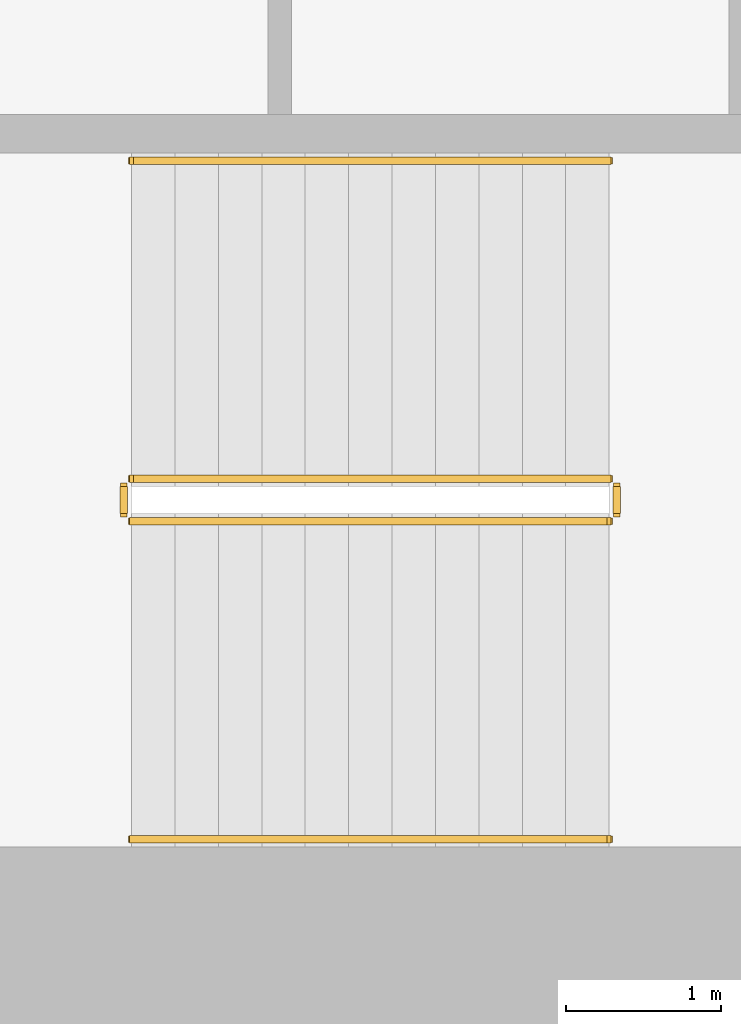
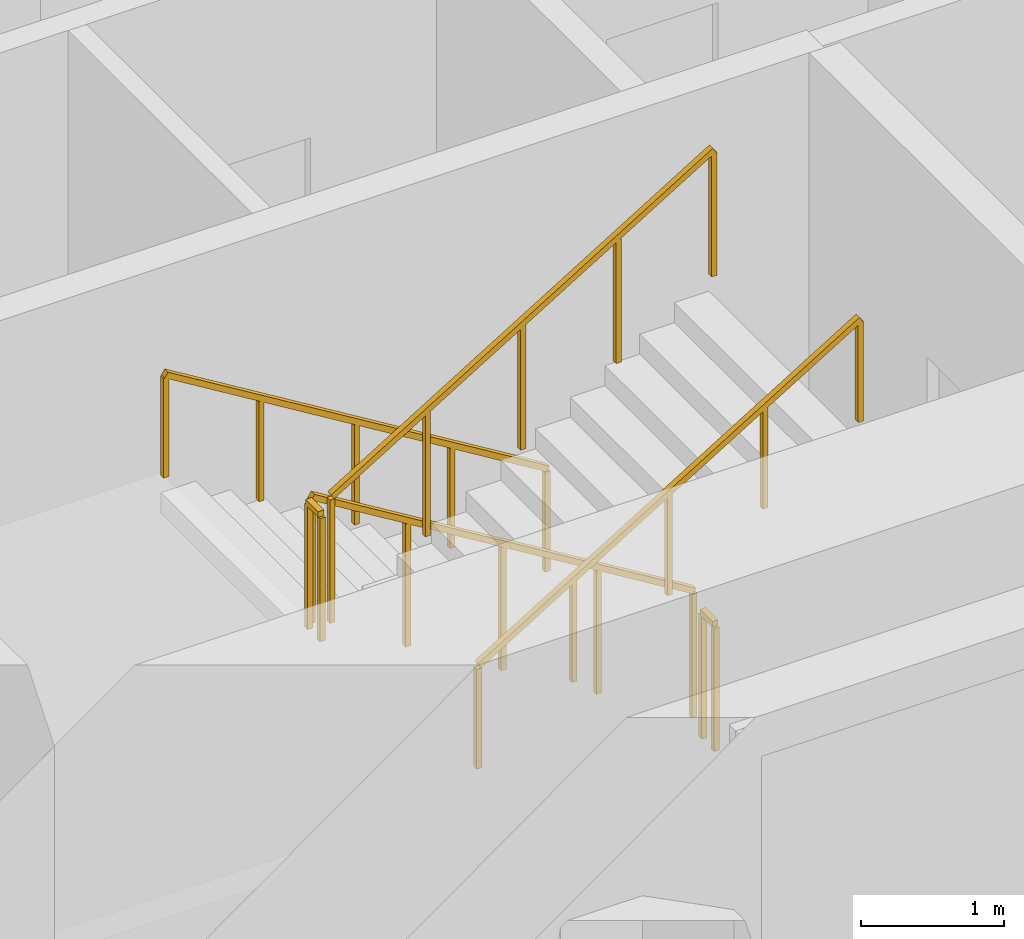
# One storey, part 12 of 18: 6 railings.
"""IFC4 building model written with IfcOpenShell, lengths in metres."""

from ifc_helpers import new_model, si_unit, direction, frame, origin, origin_2d, place, context, subcontext, project, spatial, rectangle, extrude, material, type_object, element, save


model = new_model("IFC4")

# Units and contexts
model_context = context("Model", 3, precision=1e-05, world=origin(), true_north=direction((0.0, 1.0)))
body_context = subcontext(model_context, "Body", "Model", "MODEL_VIEW")
ifc_project = project(units=[si_unit("LENGTHUNIT", "METRE"), si_unit("AREAUNIT", "SQUARE_METRE"), si_unit("VOLUMEUNIT", "CUBIC_METRE"), si_unit("PLANEANGLEUNIT", "RADIAN"), si_unit("MASSUNIT", "GRAM", prefix="KILO")], contexts=[model_context])

# Site, building, storey
site_placement = place(None, origin())
site = spatial("IfcSite", under=ifc_project, at=site_placement, CompositionType="ELEMENT")
building_placement = place(site_placement, origin())
building = spatial("IfcBuilding", under=site, at=building_placement, Name="Cypress Arch Tower", CompositionType="ELEMENT")
storey_placement = place(building_placement, frame((0.0, 0.0, 160.5)))
storey = spatial("IfcBuildingStorey", under=building, at=storey_placement, Name="L34", CompositionType="ELEMENT", Elevation=160.5)

# Railings
ifc_material_1 = material(Name="Black powder-coated steel square bar 48 mm", Category="steel")
railing_type_1 = type_object("IfcRailingType", Name="Stair handrail HR1", PredefinedType="HANDRAIL", material=ifc_material_1)
railing_1_placement = place(storey_placement, frame((-22.27490234375, -10.375, 0.1708984375)))
element("IfcRailing", 1, at=railing_1_placement, inside=storey, type_object=railing_type_1, Name="L34 A stair handrail 1", PredefinedType="HANDRAIL", context=body_context, shape_type="SweptSolid", body=[
    extrude(rectangle(XDim=0.048095703125, YDim=0.048095703125, at=origin_2d()), frame((0.0, 0.0, 0.8759765625), z_axis=(-0.853666305674, 0.0, 0.52082035152), x_axis=(0.0, -1.0, 0.0)), (0.0, 0.0, 1.0), 3.608154296875),
    extrude(rectangle(XDim=0.0419921875, YDim=0.0419921875, at=origin_2d()), origin(), (0.0, 0.0, 1.0), 0.851806640625),
    extrude(rectangle(XDim=0.0419921875, YDim=0.0419921875, at=origin_2d()), frame((-0.77001953125, 0.0, 0.4697265625)), (0.0, 0.0, 1.0), 0.851806640625),
    extrude(rectangle(XDim=0.0419921875, YDim=0.0419921875, at=origin_2d()), frame((-1.5400390625, 0.0, 0.939453125)), (0.0, 0.0, 1.0), 0.851806640625),
    extrude(rectangle(XDim=0.0419921875, YDim=0.0419921875, at=origin_2d()), frame((-2.31005859375, 0.0, 1.409423828125)), (0.0, 0.0, 1.0), 0.851806640625),
    extrude(rectangle(XDim=0.0419921875, YDim=0.0419921875, at=origin_2d()), frame((-3.080078125, 0.0, 1.879150390625)), (0.0, 0.0, 1.0), 0.851806640625),
])
railing_2_placement = place(storey_placement, frame((-25.35498046875, -14.75, 2.220947265625)))
element("IfcRailing", 2, at=railing_2_placement, inside=storey, type_object=railing_type_1, Name="L34 A stair handrail 2", PredefinedType="HANDRAIL", context=body_context, shape_type="SweptSolid", body=[
    extrude(rectangle(XDim=0.048095703125, YDim=0.048095703125, at=origin_2d()), frame((0.0, 0.0, 0.8759765625), z_axis=(0.853666305674, 0.0, 0.52082035152), x_axis=(0.0, 1.0, 0.0)), (0.0, 0.0, 1.0), 3.608154296875),
    extrude(rectangle(XDim=0.0419921875, YDim=0.0419921875, at=origin_2d()), origin(), (0.0, 0.0, 1.0), 0.851806640625),
    extrude(rectangle(XDim=0.0419921875, YDim=0.0419921875, at=origin_2d()), frame((0.77001953125, 0.0, 0.4697265625)), (0.0, 0.0, 1.0), 0.851806640625),
    extrude(rectangle(XDim=0.0419921875, YDim=0.0419921875, at=origin_2d()), frame((1.5400390625, 0.0, 0.939453125)), (0.0, 0.0, 1.0), 0.851806640625),
    extrude(rectangle(XDim=0.0419921875, YDim=0.0419921875, at=origin_2d()), frame((2.31005859375, 0.0, 1.409423828125)), (0.0, 0.0, 1.0), 0.851806640625),
    extrude(rectangle(XDim=0.0419921875, YDim=0.0419921875, at=origin_2d()), frame((3.080078125, 0.0, 1.879150390625)), (0.0, 0.0, 1.0), 0.851806640625),
])
ifc_material_2 = material(Name="Black powder-coated steel balusters", Category="steel")
railing_type_2 = type_object("IfcRailingType", Name="Stair well guard G1", PredefinedType="GUARDRAIL", material=ifc_material_2)
railing_3_placement = place(storey_placement, frame((-22.27490234375, -12.425048828125, 0.1708984375)))
element("IfcRailing", 3, at=railing_3_placement, inside=storey, type_object=railing_type_2, Name="L34 A stair guard 1", PredefinedType="GUARDRAIL", context=body_context, shape_type="SweptSolid", body=[
    extrude(rectangle(XDim=0.048095703125, YDim=0.048095703125, at=origin_2d()), frame((0.0, 0.0, 1.076171875), z_axis=(-0.853666305674, 0.0, 0.52082035152), x_axis=(0.0, -1.0, 0.0)), (0.0, 0.0, 1.0), 3.608154296875),
    extrude(rectangle(XDim=0.0419921875, YDim=0.0419921875, at=origin_2d()), origin(), (0.0, 0.0, 1.0), 1.052001953125),
    extrude(rectangle(XDim=0.0419921875, YDim=0.0419921875, at=origin_2d()), frame((-0.77001953125, 0.0, 0.4697265625)), (0.0, 0.0, 1.0), 1.052001953125),
    extrude(rectangle(XDim=0.0419921875, YDim=0.0419921875, at=origin_2d()), frame((-1.5400390625, 0.0, 0.939453125)), (0.0, 0.0, 1.0), 1.052001953125),
    extrude(rectangle(XDim=0.0419921875, YDim=0.0419921875, at=origin_2d()), frame((-2.31005859375, 0.0, 1.409423828125)), (0.0, 0.0, 1.0), 1.052001953125),
    extrude(rectangle(XDim=0.0419921875, YDim=0.0419921875, at=origin_2d()), frame((-3.080078125, 0.0, 1.879150390625)), (0.0, 0.0, 1.0), 1.052001953125),
])
railing_4_placement = place(storey_placement, frame((-25.405029296875, -12.47509765625, 2.050048828125)))
element("IfcRailing", 4, at=railing_4_placement, inside=storey, type_object=railing_type_2, Name="L34 A stair guard 2", PredefinedType="GUARDRAIL", context=body_context, shape_type="SweptSolid", body=[
    extrude(rectangle(XDim=0.048095703125, YDim=0.048095703125, at=origin_2d()), frame((0.0, 0.0, 1.076171875), z_axis=(0.0, -1.0, 0.0), x_axis=(1.0, 0.0, 0.0)), (0.0, 0.0, 1.0), 0.1748046875),
    extrude(rectangle(XDim=0.0419921875, YDim=0.0419921875, at=origin_2d()), origin(), (0.0, 0.0, 1.0), 1.052001953125),
    extrude(rectangle(XDim=0.0419921875, YDim=0.0419921875, at=origin_2d()), frame((0.0, -0.1748046875, 0.0)), (0.0, 0.0, 1.0), 1.052001953125),
])
railing_5_placement = place(storey_placement, frame((-25.35498046875, -12.699951171875, 2.220947265625)))
element("IfcRailing", 5, at=railing_5_placement, inside=storey, type_object=railing_type_2, Name="L34 A stair guard 3", PredefinedType="GUARDRAIL", context=body_context, shape_type="SweptSolid", body=[
    extrude(rectangle(XDim=0.048095703125, YDim=0.048095703125, at=origin_2d()), frame((0.0, 0.0, 1.076171875), z_axis=(0.853666305674, 0.0, 0.52082035152), x_axis=(0.0, 1.0, 0.0)), (0.0, 0.0, 1.0), 3.608154296875),
    extrude(rectangle(XDim=0.0419921875, YDim=0.0419921875, at=origin_2d()), origin(), (0.0, 0.0, 1.0), 1.052001953125),
    extrude(rectangle(XDim=0.0419921875, YDim=0.0419921875, at=origin_2d()), frame((0.77001953125, 0.0, 0.4697265625)), (0.0, 0.0, 1.0), 1.052001953125),
    extrude(rectangle(XDim=0.0419921875, YDim=0.0419921875, at=origin_2d()), frame((1.5400390625, 0.0, 0.939453125)), (0.0, 0.0, 1.0), 1.052001953125),
    extrude(rectangle(XDim=0.0419921875, YDim=0.0419921875, at=origin_2d()), frame((2.31005859375, 0.0, 1.409423828125)), (0.0, 0.0, 1.0), 1.052001953125),
    extrude(rectangle(XDim=0.0419921875, YDim=0.0419921875, at=origin_2d()), frame((3.080078125, 0.0, 1.879150390625)), (0.0, 0.0, 1.0), 1.052001953125),
])
railing_6_placement = place(storey_placement, frame((-22.22509765625, -12.47509765625, 0.0)))
element("IfcRailing", 6, at=railing_6_placement, inside=storey, type_object=railing_type_2, Name="L34 A stair guard 4", PredefinedType="GUARDRAIL", context=body_context, shape_type="SweptSolid", body=[
    extrude(rectangle(XDim=0.048095703125, YDim=0.048095703125, at=origin_2d()), frame((0.0, 0.0, 1.076171875), z_axis=(0.0, -1.0, 0.0), x_axis=(1.0, 0.0, 0.0)), (0.0, 0.0, 1.0), 0.1748046875),
    extrude(rectangle(XDim=0.0419921875, YDim=0.0419921875, at=origin_2d()), origin(), (0.0, 0.0, 1.0), 1.052001953125),
    extrude(rectangle(XDim=0.0419921875, YDim=0.0419921875, at=origin_2d()), frame((0.0, -0.1748046875, 0.0)), (0.0, 0.0, 1.0), 1.052001953125),
])

save(model, "model.ifc")
